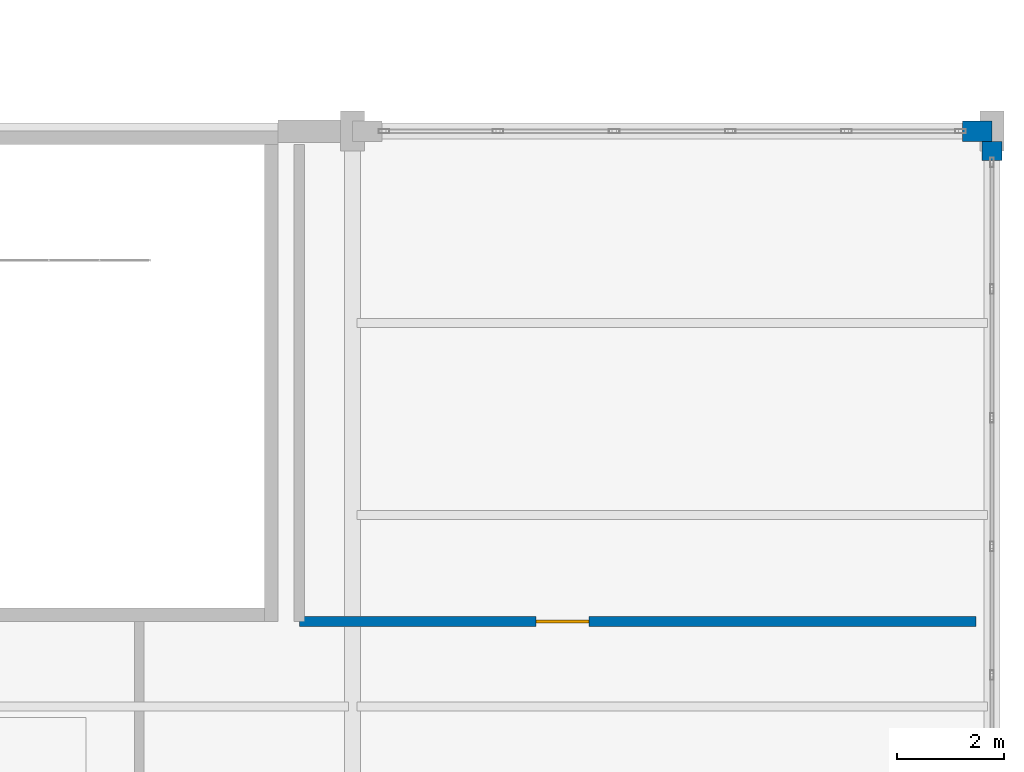
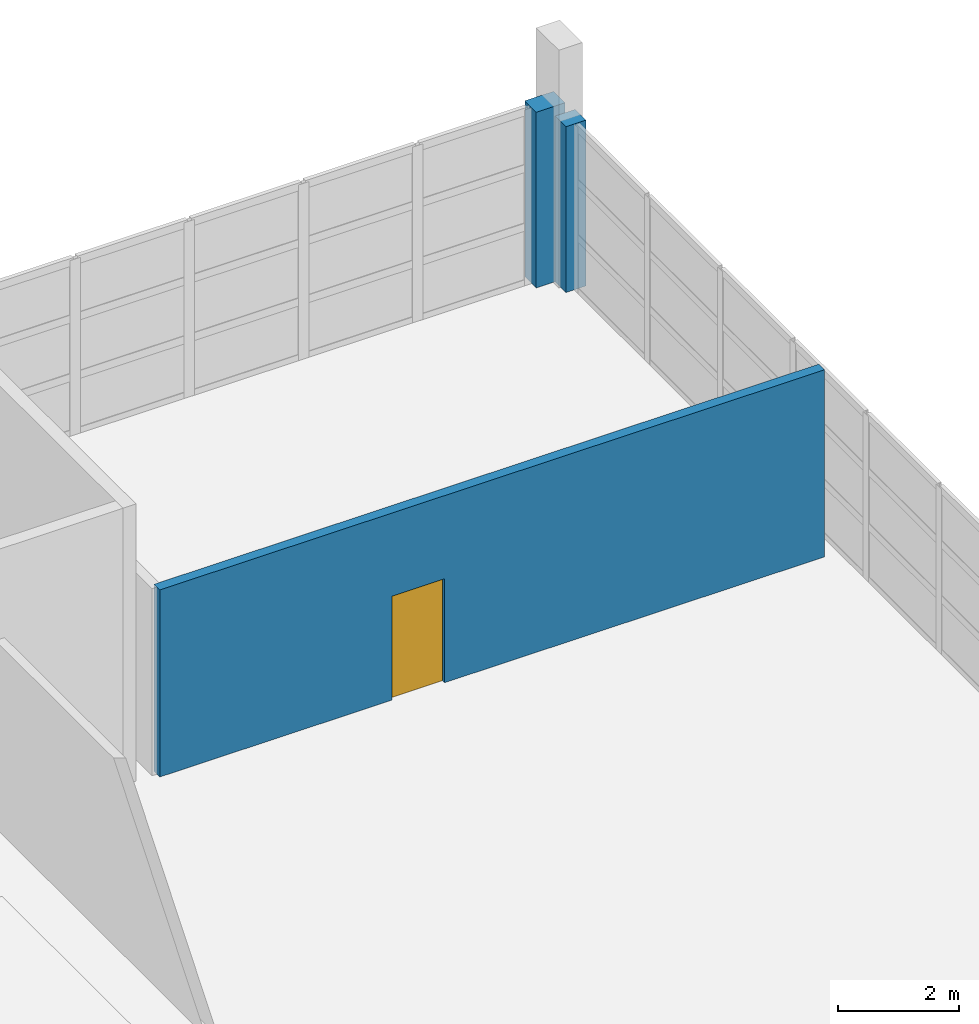
# One storey, part 83 of 86: 3 walls, 1 door, 1 opening.
"""IFC4 building model written with IfcOpenShell, lengths in metres."""

from ifc_helpers import new_model, si_unit, direction, frame, frame_2d, origin, place, context, subcontext, project, spatial, rectangle, extrude, material, layer, layer_set, type_object, element, fill, save


model = new_model("IFC4")

# Units and contexts
model_context = context("Model", 3, precision=1e-05, world=origin(), true_north=direction((0.0, 1.0)))
body_context = subcontext(model_context, "Body", "Model", "MODEL_VIEW")
ifc_project = project(units=[si_unit("LENGTHUNIT", "METRE"), si_unit("AREAUNIT", "SQUARE_METRE"), si_unit("VOLUMEUNIT", "CUBIC_METRE"), si_unit("PLANEANGLEUNIT", "RADIAN"), si_unit("MASSUNIT", "GRAM", prefix="KILO")], contexts=[model_context])

# Site, building, storey
site_placement = place(None, origin())
site = spatial("IfcSite", under=ifc_project, at=site_placement, CompositionType="ELEMENT")
building_placement = place(site_placement, origin())
building = spatial("IfcBuilding", under=site, at=building_placement, Name="Zilviju Railside Exhibition Hall", CompositionType="ELEMENT")
storey_placement = place(building_placement, frame((0.0, 0.0, 12.60009765625)))
storey = spatial("IfcBuildingStorey", under=building, at=storey_placement, Name="L04", CompositionType="ELEMENT", Elevation=12.60009765625)

# Walls
ifc_material_1 = material(Name="Insulated cream-brick upper facade wall", Category="masonry")
ifc_layer_1 = layer(ifc_material_1, 0.3798828125)
ifc_layer_set_1 = layer_set([ifc_layer_1], Name="Insulated cream-brick upper facade wall")
wall_type_1 = type_object("IfcWallType", Name="WL-EXT-380", PredefinedType="SOLIDWALL", material=ifc_layer_set_1)
wall_1_placement = place(storey_placement, frame((215.449951171875, 138.0, 0.0), z_axis=(0.0, 0.0, 1.0), x_axis=(1.0, 0.0, 0.0)))
element("IfcWall", 1, at=wall_1_placement, inside=storey, type_object=wall_type_1, Name="Curtain-Wall Jamb Closure Pier L04 0311", PredefinedType="SOLIDWALL", context=body_context, shape_type="SweptSolid", body=[
    extrude(rectangle(XDim=0.550048828125, YDim=0.3798828125, at=frame_2d((0.27490234375, 0.0))), origin(), (0.0, 0.0, 1.0), 3.5498046875),
])
wall_2_placement = place(storey_placement, frame((216.0, 137.80810546875, 0.0), z_axis=(0.0, 0.0, 1.0), x_axis=(0.0, -1.0, 0.0)))
element("IfcWall", 2, at=wall_2_placement, inside=storey, type_object=wall_type_1, Name="Curtain-Wall Jamb Closure Pier L04 0318", PredefinedType="SOLIDWALL", context=body_context, shape_type="SweptSolid", body=[
    extrude(rectangle(XDim=0.358154296875, YDim=0.3798828125, at=frame_2d((0.17919921875, 0.0))), origin(), (0.0, 0.0, 1.0), 3.349853515625),
])

# Wall, opening, door
ifc_material_2 = material(Name="Accessible WC sanitary chase wall", Category="masonry")
ifc_layer_2 = layer(ifc_material_2, 0.18994140625)
ifc_layer_set_2 = layer_set([ifc_layer_2], Name="Accessible WC sanitary chase wall")
wall_type_2 = type_object("IfcWallType", Name="WL-PLMB-190", PredefinedType="PLUMBINGWALL", material=ifc_layer_set_2)
wall_3_placement = place(storey_placement, frame((203.0, 128.800048828125, 0.0), z_axis=(0.0, 0.0, 1.0), x_axis=(1.0, 0.0, 0.0)))
wall_3 = element("IfcWall", 3, at=wall_3_placement, inside=storey, type_object=wall_type_2, Name="VIP Salon WC Wall", PredefinedType="PLUMBINGWALL", context=body_context, shape_type="SweptSolid", body=[
    extrude(rectangle(XDim=12.699951171875, YDim=0.18994140625, at=frame_2d((6.35009765625, 0.0))), origin(), (0.0, 0.0, 1.0), 3.77978515625),
])
opening_placement = place(wall_3_placement, frame((4.43994140625, 0.0, 0.0)))
opening = element("IfcOpeningElement", 4, at=opening_placement, cuts=wall_3, Name="Opening WD-01", PredefinedType="OPENING", context=body_context, shape_type="SweptSolid", body=[
    extrude(rectangle(XDim=1.0, YDim=2.10009765625, at=frame_2d((0.5, 1.050048828125))), frame((0.0, 0.10498046875, 0.0), z_axis=(0.0, -1.0, 0.0), x_axis=(1.0, 0.0, 0.0)), (0.0, 0.0, 1.0), 0.2099609375),
])
ifc_material_3 = material(Name="Accessible WC outward-opening door", Category="wood")
door_type = type_object("IfcDoorType", Name="DR-WC-ACC-100x210", OperationType="NOTDEFINED", PredefinedType="DOOR", material=ifc_material_3)
door_placement = place(opening_placement, origin())
door = element("IfcDoor", 5, at=door_placement, inside=storey, type_object=door_type, Name="VIP Salon WC Wall Door 1", OperationType="SINGLE_SWING_LEFT", OverallHeight=2.10009765625, OverallWidth=1.0, PredefinedType="DOOR", context=body_context, shape_type="SweptSolid", body=[
    extrude(rectangle(XDim=1.0, YDim=2.10009765625, at=frame_2d((0.5, 1.050048828125))), frame((0.0, 0.02490234375, 0.0), z_axis=(0.0, -1.0, 0.0), x_axis=(1.0, 0.0, 0.0)), (0.0, 0.0, 1.0), 0.050048828125),
])
fill(opening, door)

save(model, "model.ifc")
